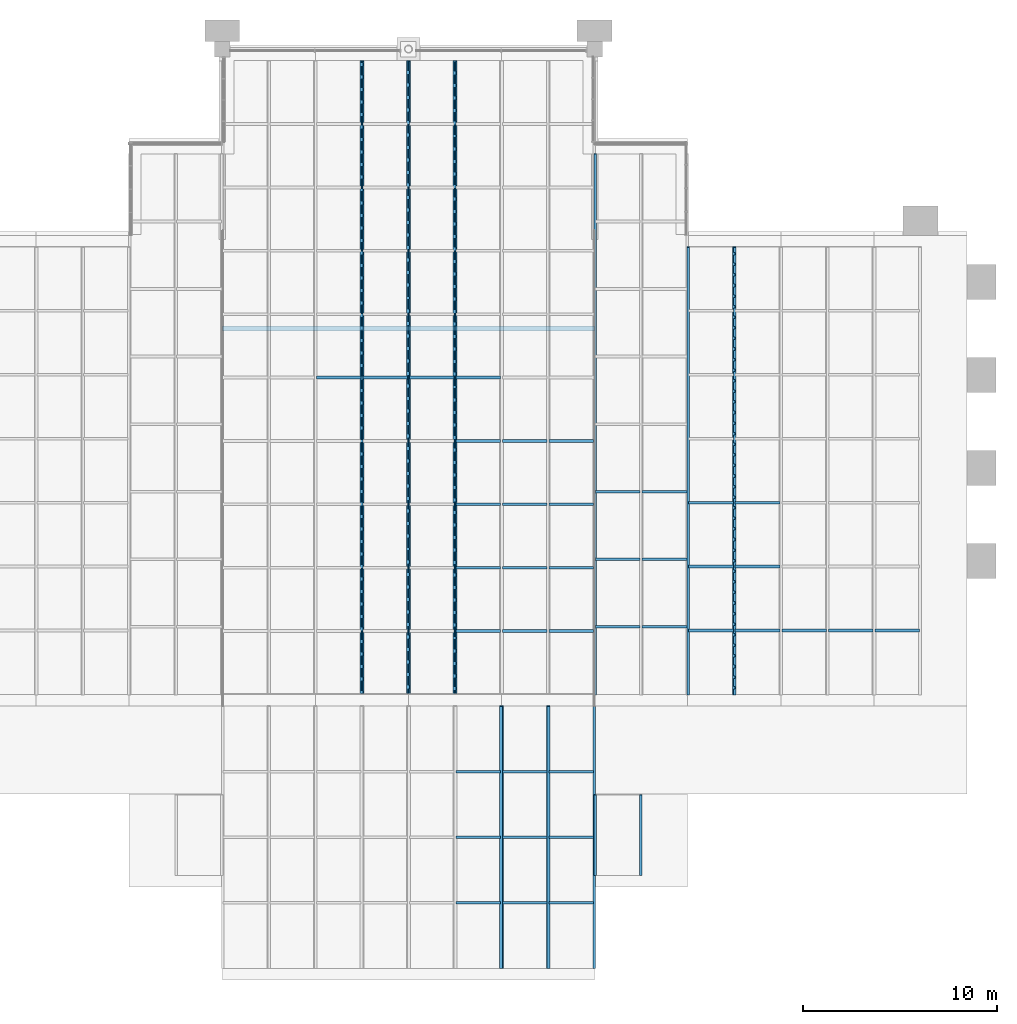
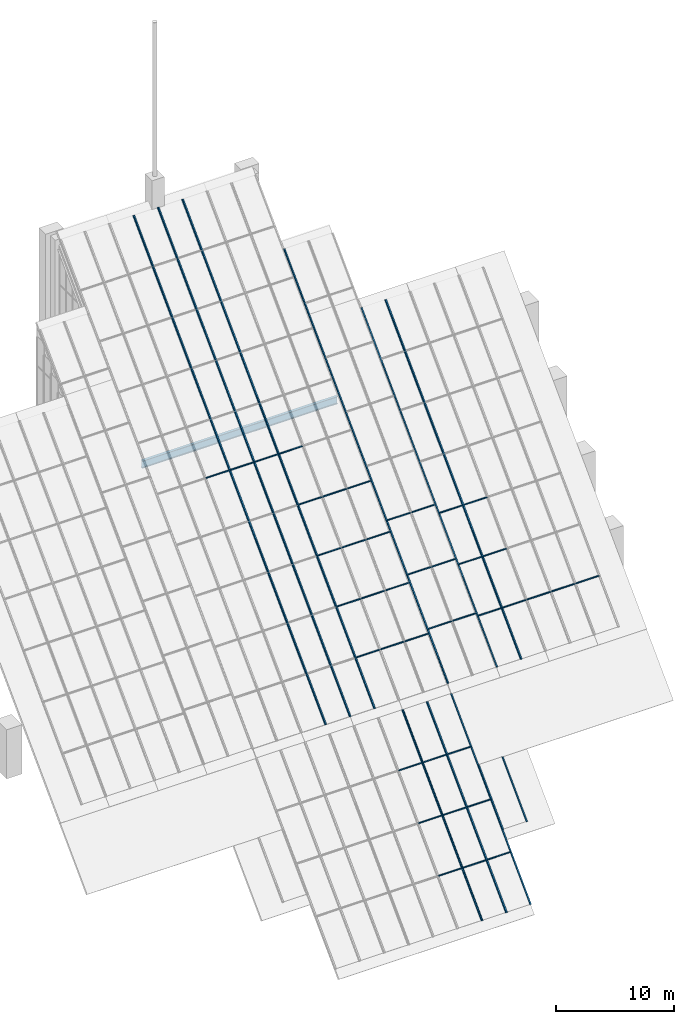
# One storey, part 3 of 25: 57 members, 1 beam, 17 elements without a shape of their own.
"""IFC4 building model written with IfcOpenShell, lengths in metres."""

from ifc_helpers import new_model, si_unit, direction, frame, origin, origin_2d, place, context, subcontext, project, spatial, rectangle, i_section, extrude, material, material_profile, profile_set, type_object, element, aggregate, save


model = new_model("IFC4")

# Units and contexts
model_context = context("Model", 3, precision=1e-05, world=origin(), true_north=direction((0.0, 1.0)))
body_context = subcontext(model_context, "Body", "Model", "MODEL_VIEW")
ifc_project = project(units=[si_unit("LENGTHUNIT", "METRE"), si_unit("AREAUNIT", "SQUARE_METRE"), si_unit("VOLUMEUNIT", "CUBIC_METRE"), si_unit("PLANEANGLEUNIT", "RADIAN"), si_unit("MASSUNIT", "GRAM", prefix="KILO")], contexts=[model_context])

# Site, building, storey
site_placement = place(None, origin())
site = spatial("IfcSite", under=ifc_project, at=site_placement, CompositionType="ELEMENT")
building_placement = place(site_placement, origin())
building = spatial("IfcBuilding", under=site, at=building_placement, Name="Baori Bourse Tower", CompositionType="ELEMENT")
storey_placement = place(building_placement, frame((0.0, 0.0, 378.300048828125)))
storey = spatial("IfcBuildingStorey", under=building, at=storey_placement, Name="Roof", CompositionType="ELEMENT", Elevation=378.300048828125)

# Curtain wall, member
ifc_material_1 = material(Name="Pale anodised aluminium", Category="aluminium")
curtain_wall_type = type_object("IfcCurtainWallType", Name="CW4 Curtain wall", PredefinedType="NOTDEFINED", material=ifc_material_1)
curtain_wall_1_placement = place(storey_placement, origin())
curtain_wall_1 = element("IfcCurtainWall", 1, at=curtain_wall_1_placement, inside=storey, type_object=curtain_wall_type, Name="Curtain wall CW4 roof glazing 13", PredefinedType="NOTDEFINED")
ifc_material_2 = material(Name="Pale anodised aluminium", Category="aluminium")
ifc_material_profile_1 = material_profile(ifc_material_2, rectangle(XDim=0.139892578125, YDim=0.050048828125, at=origin_2d()), Name="Mullion 50x140")
ifc_profile_set_1 = profile_set([ifc_material_profile_1], Name="Pale anodised aluminium")
member_type_1 = type_object("IfcMemberType", Name="CW4 Curtain wall mullion", PredefinedType="MULLION", material=ifc_profile_set_1)
member_1_placement = place(storey_placement, frame((26.375, 14.723388671875, -0.492919921875), z_axis=(0.0, 0.702701357495, 0.711484927581), x_axis=(-1.0, 0.0, 0.0)))
member_1 = element("IfcMember", 2, at=member_1_placement, type_object=member_type_1, Name="Curtain wall CW4 rail 13.2", PredefinedType="MULLION", context=body_context, shape_type="SweptSolid", body=[
    extrude(rectangle(XDim=0.139892578125, YDim=0.050048828125, at=origin_2d()), origin(), (0.0, 0.0, 1.0), 46.501220703125),
])

# Curtain wall, members
curtain_wall_2_placement = place(storey_placement, origin())
curtain_wall_2 = element("IfcCurtainWall", 3, at=curtain_wall_2_placement, inside=storey, type_object=curtain_wall_type, Name="Curtain wall CW4 roof glazing 15", PredefinedType="NOTDEFINED")
member_2_placement = place(storey_placement, frame((26.425048828125, 14.723388671875, -0.492919921875), z_axis=(0.0, 0.702701357495, 0.711484927581), x_axis=(-1.0, 0.0, 0.0)))
member_2 = element("IfcMember", 4, at=member_2_placement, type_object=member_type_1, Name="Curtain wall CW4 rail 15.1", PredefinedType="MULLION", context=body_context, shape_type="SweptSolid", body=[
    extrude(rectangle(XDim=0.139892578125, YDim=0.050048828125, at=origin_2d()), origin(), (0.0, 0.0, 1.0), 46.501220703125),
])
member_3_placement = place(storey_placement, frame((28.77490234375, 14.723388671875, -0.492919921875), z_axis=(0.0, 0.702701357495, 0.711484927581), x_axis=(-1.0, 0.0, 0.0)))
member_3 = element("IfcMember", 5, at=member_3_placement, type_object=member_type_1, Name="Curtain wall CW4 rail 15.2", PredefinedType="MULLION", context=body_context, shape_type="SweptSolid", body=[
    extrude(rectangle(XDim=0.139892578125, YDim=0.050048828125, at=origin_2d()), origin(), (0.0, 0.0, 1.0), 46.501220703125),
])

curtain_wall_3_placement = place(storey_placement, origin())
curtain_wall_3 = element("IfcCurtainWall", 6, at=curtain_wall_3_placement, inside=storey, type_object=curtain_wall_type, Name="Curtain wall CW4 roof glazing 17", PredefinedType="NOTDEFINED")
member_4_placement = place(storey_placement, frame((28.824951171875, 14.723388671875, -0.492919921875), z_axis=(0.0, 0.702701357495, 0.711484927581), x_axis=(-1.0, 0.0, 0.0)))
member_4 = element("IfcMember", 7, at=member_4_placement, type_object=member_type_1, Name="Curtain wall CW4 rail 17.1", PredefinedType="MULLION", context=body_context, shape_type="SweptSolid", body=[
    extrude(rectangle(XDim=0.139892578125, YDim=0.050048828125, at=origin_2d()), origin(), (0.0, 0.0, 1.0), 46.501220703125),
])
member_5_placement = place(storey_placement, frame((31.175048828125, 14.723388671875, -0.492919921875), z_axis=(0.0, 0.702701357495, 0.711484927581), x_axis=(-1.0, 0.0, 0.0)))
member_5 = element("IfcMember", 8, at=member_5_placement, type_object=member_type_1, Name="Curtain wall CW4 rail 17.2", PredefinedType="MULLION", context=body_context, shape_type="SweptSolid", body=[
    extrude(rectangle(XDim=0.139892578125, YDim=0.050048828125, at=origin_2d()), origin(), (0.0, 0.0, 1.0), 46.501220703125),
])

# Curtain wall, member
curtain_wall_4_placement = place(storey_placement, origin())
curtain_wall_4 = element("IfcCurtainWall", 9, at=curtain_wall_4_placement, inside=storey, type_object=curtain_wall_type, Name="Curtain wall CW4 roof glazing 19", PredefinedType="NOTDEFINED")
member_6_placement = place(storey_placement, frame((31.22509765625, 14.723388671875, -0.492919921875), z_axis=(0.0, 0.702701357495, 0.711484927581), x_axis=(-1.0, 0.0, 0.0)))
member_6 = element("IfcMember", 10, at=member_6_placement, type_object=member_type_1, Name="Curtain wall CW4 rail 19.1", PredefinedType="MULLION", context=body_context, shape_type="SweptSolid", body=[
    extrude(rectangle(XDim=0.139892578125, YDim=0.050048828125, at=origin_2d()), origin(), (0.0, 0.0, 1.0), 46.501220703125),
])

curtain_wall_5_placement = place(storey_placement, origin())
curtain_wall_5 = element("IfcCurtainWall", 11, at=curtain_wall_5_placement, inside=storey, type_object=curtain_wall_type, Name="Curtain wall CW4 roof glazing 20", PredefinedType="NOTDEFINED")
member_7_placement = place(storey_placement, frame((33.574951171875, 0.60009765625, -14.79296875), z_axis=(0.0, 0.702697770949, 0.711488469831), x_axis=(-1.0, 0.0, 0.0)))
member_7 = element("IfcMember", 12, at=member_7_placement, type_object=member_type_1, Name="Curtain wall CW4 rail 20.2", PredefinedType="MULLION", context=body_context, shape_type="SweptSolid", body=[
    extrude(rectangle(XDim=0.139892578125, YDim=0.050048828125, at=origin_2d()), origin(), (0.0, 0.0, 1.0), 19.246337890625),
])

# Curtain wall, members
curtain_wall_6_placement = place(storey_placement, origin())
curtain_wall_6 = element("IfcCurtainWall", 13, at=curtain_wall_6_placement, inside=storey, type_object=curtain_wall_type, Name="Curtain wall CW4 roof glazing 22", PredefinedType="NOTDEFINED")
member_8_placement = place(storey_placement, frame((33.625, 0.60009765625, -14.79296875), z_axis=(0.0, 0.702697770949, 0.711488469831), x_axis=(-1.0, 0.0, 0.0)))
member_8 = element("IfcMember", 14, at=member_8_placement, type_object=member_type_1, Name="Curtain wall CW4 rail 22.1", PredefinedType="MULLION", context=body_context, shape_type="SweptSolid", body=[
    extrude(rectangle(XDim=0.139892578125, YDim=0.050048828125, at=origin_2d()), origin(), (0.0, 0.0, 1.0), 19.246337890625),
])
member_9_placement = place(storey_placement, frame((35.97509765625, 0.60009765625, -14.79296875), z_axis=(0.0, 0.702697770949, 0.711488469831), x_axis=(-1.0, 0.0, 0.0)))
member_9 = element("IfcMember", 15, at=member_9_placement, type_object=member_type_1, Name="Curtain wall CW4 rail 22.2", PredefinedType="MULLION", context=body_context, shape_type="SweptSolid", body=[
    extrude(rectangle(XDim=0.139892578125, YDim=0.050048828125, at=origin_2d()), origin(), (0.0, 0.0, 1.0), 19.246337890625),
])

curtain_wall_7_placement = place(storey_placement, origin())
curtain_wall_7 = element("IfcCurtainWall", 16, at=curtain_wall_7_placement, inside=storey, type_object=curtain_wall_type, Name="Curtain wall CW4 roof glazing 24", PredefinedType="NOTDEFINED")
member_10_placement = place(storey_placement, frame((36.02490234375, 0.60009765625, -14.79296875), z_axis=(0.0, 0.702697770949, 0.711488469831), x_axis=(-1.0, 0.0, 0.0)))
member_10 = element("IfcMember", 17, at=member_10_placement, type_object=member_type_1, Name="Curtain wall CW4 rail 24.1", PredefinedType="MULLION", context=body_context, shape_type="SweptSolid", body=[
    extrude(rectangle(XDim=0.139892578125, YDim=0.050048828125, at=origin_2d()), origin(), (0.0, 0.0, 1.0), 19.246337890625),
])
member_11_placement = place(storey_placement, frame((38.375, 0.60009765625, -14.79296875), z_axis=(0.0, 0.702697770949, 0.711488469831), x_axis=(-1.0, 0.0, 0.0)))
member_11 = element("IfcMember", 18, at=member_11_placement, type_object=member_type_1, Name="Curtain wall CW4 rail 24.2", PredefinedType="MULLION", context=body_context, shape_type="SweptSolid", body=[
    extrude(rectangle(XDim=0.139892578125, YDim=0.050048828125, at=origin_2d()), origin(), (0.0, 0.0, 1.0), 19.246337890625),
])

# Curtain wall, member
curtain_wall_8_placement = place(storey_placement, origin())
curtain_wall_8 = element("IfcCurtainWall", 19, at=curtain_wall_8_placement, inside=storey, type_object=curtain_wall_type, Name="Curtain wall CW4 roof glazing 25", PredefinedType="NOTDEFINED")
member_12_placement = place(storey_placement, frame((38.425048828125, 14.723388671875, -0.407470703125), z_axis=(0.0, 0.702705220512, 0.711481112234), x_axis=(-1.0, 0.0, 0.0)))
member_12 = element("IfcMember", 20, at=member_12_placement, type_object=member_type_1, Name="Curtain wall CW4 rail 25.1", PredefinedType="MULLION", context=body_context, shape_type="SweptSolid", body=[
    extrude(rectangle(XDim=0.139892578125, YDim=0.050048828125, at=origin_2d()), origin(), (0.0, 0.0, 1.0), 39.670654296875),
])

# Curtain wall, members
curtain_wall_9_placement = place(storey_placement, origin())
curtain_wall_9 = element("IfcCurtainWall", 21, at=curtain_wall_9_placement, inside=storey, type_object=curtain_wall_type, Name="Curtain wall CW4 roof glazing 26", PredefinedType="NOTDEFINED")
member_13_placement = place(storey_placement, frame((38.425048828125, 5.39990234375, -9.932861328125), z_axis=(0.0, 0.702711334446, 0.711475073661), x_axis=(-1.0, 0.0, 0.0)))
member_13 = element("IfcMember", 22, at=member_13_placement, type_object=member_type_1, Name="Curtain wall CW4 rail 26.1", PredefinedType="MULLION", context=body_context, shape_type="SweptSolid", body=[
    extrude(rectangle(XDim=0.139892578125, YDim=0.050048828125, at=origin_2d()), origin(), (0.0, 0.0, 1.0), 5.906005859375),
])
member_14_placement = place(storey_placement, frame((40.77490234375, 5.39990234375, -9.932861328125), z_axis=(0.0, 0.702711334446, 0.711475073661), x_axis=(-1.0, 0.0, 0.0)))
member_14 = element("IfcMember", 23, at=member_14_placement, type_object=member_type_1, Name="Curtain wall CW4 rail 26.2", PredefinedType="MULLION", context=body_context, shape_type="SweptSolid", body=[
    extrude(rectangle(XDim=0.139892578125, YDim=0.050048828125, at=origin_2d()), origin(), (0.0, 0.0, 1.0), 5.906005859375),
])
aggregate(curtain_wall_9, [member_13, member_14])

curtain_wall_10_placement = place(storey_placement, origin())
curtain_wall_10 = element("IfcCurtainWall", 24, at=curtain_wall_10_placement, inside=storey, type_object=curtain_wall_type, Name="Curtain wall CW4 roof glazing 28", PredefinedType="NOTDEFINED")
member_15_placement = place(storey_placement, frame((43.22509765625, 14.723388671875, -0.407470703125), z_axis=(0.0, 0.702703210407, 0.711483097539), x_axis=(-1.0, 0.0, 0.0)))
member_15 = element("IfcMember", 25, at=member_15_placement, type_object=member_type_1, Name="Curtain wall CW4 rail 28.1", PredefinedType="MULLION", context=body_context, shape_type="SweptSolid", body=[
    extrude(rectangle(XDim=0.139892578125, YDim=0.050048828125, at=origin_2d()), origin(), (0.0, 0.0, 1.0), 32.83984375),
])
member_16_placement = place(storey_placement, frame((45.574951171875, 14.723388671875, -0.407470703125), z_axis=(0.0, 0.702703210407, 0.711483097539), x_axis=(-1.0, 0.0, 0.0)))
member_16 = element("IfcMember", 26, at=member_16_placement, type_object=member_type_1, Name="Curtain wall CW4 rail 28.2", PredefinedType="MULLION", context=body_context, shape_type="SweptSolid", body=[
    extrude(rectangle(XDim=0.139892578125, YDim=0.050048828125, at=origin_2d()), origin(), (0.0, 0.0, 1.0), 32.83984375),
])

# Curtain wall, member
curtain_wall_11_placement = place(storey_placement, origin())
curtain_wall_11 = element("IfcCurtainWall", 27, at=curtain_wall_11_placement, inside=storey, type_object=curtain_wall_type, Name="Curtain wall CW4 roof glazing 29", PredefinedType="NOTDEFINED")
member_17_placement = place(storey_placement, frame((45.625, 14.723388671875, -0.407470703125), z_axis=(0.0, 0.702703210407, 0.711483097539), x_axis=(-1.0, 0.0, 0.0)))
member_17 = element("IfcMember", 28, at=member_17_placement, type_object=member_type_1, Name="Curtain wall CW4 rail 29.1", PredefinedType="MULLION", context=body_context, shape_type="SweptSolid", body=[
    extrude(rectangle(XDim=0.139892578125, YDim=0.050048828125, at=origin_2d()), origin(), (0.0, 0.0, 1.0), 32.83984375),
])

# Member
ifc_material_3 = material(Name="Pale anodised aluminium", Category="aluminium")
ifc_material_profile_2 = material_profile(ifc_material_3, rectangle(XDim=0.139892578125, YDim=0.054931640625, at=origin_2d()), Name="Transom 55x140")
ifc_profile_set_2 = profile_set([ifc_material_profile_2], Name="Pale anodised aluminium")
member_type_2 = type_object("IfcMemberType", Name="CW4 Curtain wall transom", PredefinedType="USERDEFINED", material=ifc_profile_set_2)
member_18_placement = place(storey_placement, frame((24.050048828125, 31.061767578125, 16.049560546875), z_axis=(1.0, 0.0, 0.0), x_axis=(0.0, 1.0, 0.0)))
member_18 = element("IfcMember", 29, at=member_18_placement, type_object=member_type_2, Name="Curtain wall CW4 cross bar 13.5", ObjectType="TRANSOM", PredefinedType="USERDEFINED", context=body_context, shape_type="SweptSolid", body=[
    extrude(rectangle(XDim=0.139892578125, YDim=0.054931640625, at=origin_2d()), origin(), (0.0, 0.0, 1.0), 2.300048828125),
])

aggregate(curtain_wall_1, [member_1, member_18])

member_19_placement = place(storey_placement, frame((26.449951171875, 31.061767578125, 16.049560546875), z_axis=(1.0, 0.0, 0.0), x_axis=(0.0, 1.0, 0.0)))
member_19 = element("IfcMember", 30, at=member_19_placement, type_object=member_type_2, Name="Curtain wall CW4 cross bar 15.5", ObjectType="TRANSOM", PredefinedType="USERDEFINED", context=body_context, shape_type="SweptSolid", body=[
    extrude(rectangle(XDim=0.139892578125, YDim=0.054931640625, at=origin_2d()), origin(), (0.0, 0.0, 1.0), 2.300048828125),
])

aggregate(curtain_wall_2, [member_2, member_3, member_19])

member_20_placement = place(storey_placement, frame((28.85009765625, 31.061767578125, 16.049560546875), z_axis=(1.0, 0.0, 0.0), x_axis=(0.0, 1.0, 0.0)))
member_20 = element("IfcMember", 31, at=member_20_placement, type_object=member_type_2, Name="Curtain wall CW4 cross bar 17.5", ObjectType="TRANSOM", PredefinedType="USERDEFINED", context=body_context, shape_type="SweptSolid", body=[
    extrude(rectangle(XDim=0.139892578125, YDim=0.054931640625, at=origin_2d()), origin(), (0.0, 0.0, 1.0), 2.2998046875),
])

aggregate(curtain_wall_3, [member_4, member_5, member_20])

member_21_placement = place(storey_placement, frame((31.25, 17.9912109375, 2.815673828125), z_axis=(1.0, 0.0, 0.0), x_axis=(0.0, 1.0, 0.0)))
member_21 = element("IfcMember", 32, at=member_21_placement, type_object=member_type_2, Name="Curtain wall CW4 cross bar 19.1", ObjectType="TRANSOM", PredefinedType="USERDEFINED", context=body_context, shape_type="SweptSolid", body=[
    extrude(rectangle(XDim=0.139892578125, YDim=0.054931640625, at=origin_2d()), origin(), (0.0, 0.0, 1.0), 2.300048828125),
])

member_22_placement = place(storey_placement, frame((31.25, 21.2587890625, 6.1240234375), z_axis=(1.0, 0.0, 0.0), x_axis=(0.0, 1.0, 0.0)))
member_22 = element("IfcMember", 33, at=member_22_placement, type_object=member_type_2, Name="Curtain wall CW4 cross bar 19.2", ObjectType="TRANSOM", PredefinedType="USERDEFINED", context=body_context, shape_type="SweptSolid", body=[
    extrude(rectangle(XDim=0.139892578125, YDim=0.054931640625, at=origin_2d()), origin(), (0.0, 0.0, 1.0), 2.300048828125),
])

member_23_placement = place(storey_placement, frame((31.25, 24.5263671875, 9.4326171875), z_axis=(1.0, 0.0, 0.0), x_axis=(0.0, 1.0, 0.0)))
member_23 = element("IfcMember", 34, at=member_23_placement, type_object=member_type_2, Name="Curtain wall CW4 cross bar 19.3", ObjectType="TRANSOM", PredefinedType="USERDEFINED", context=body_context, shape_type="SweptSolid", body=[
    extrude(rectangle(XDim=0.139892578125, YDim=0.054931640625, at=origin_2d()), origin(), (0.0, 0.0, 1.0), 2.300048828125),
])

member_24_placement = place(storey_placement, frame((31.25, 27.794189453125, 12.740966796875), z_axis=(1.0, 0.0, 0.0), x_axis=(0.0, 1.0, 0.0)))
member_24 = element("IfcMember", 35, at=member_24_placement, type_object=member_type_2, Name="Curtain wall CW4 cross bar 19.4", ObjectType="TRANSOM", PredefinedType="USERDEFINED", context=body_context, shape_type="SweptSolid", body=[
    extrude(rectangle(XDim=0.139892578125, YDim=0.054931640625, at=origin_2d()), origin(), (0.0, 0.0, 1.0), 2.300048828125),
])

member_25_placement = place(storey_placement, frame((31.25, 31.061767578125, 16.049560546875), z_axis=(1.0, 0.0, 0.0), x_axis=(0.0, 1.0, 0.0)))
member_25 = element("IfcMember", 36, at=member_25_placement, type_object=member_type_2, Name="Curtain wall CW4 cross bar 19.5", ObjectType="TRANSOM", PredefinedType="USERDEFINED", context=body_context, shape_type="SweptSolid", body=[
    extrude(rectangle(XDim=0.139892578125, YDim=0.054931640625, at=origin_2d()), origin(), (0.0, 0.0, 1.0), 2.300048828125),
])

aggregate(curtain_wall_4, [member_6, member_21, member_22, member_23, member_24, member_25])

member_26_placement = place(storey_placement, frame((31.25, 3.981201171875, -11.36962890625), z_axis=(1.0, 0.0, 0.0), x_axis=(0.0, 1.0, 0.0)))
member_26 = element("IfcMember", 37, at=member_26_placement, type_object=member_type_2, Name="Curtain wall CW4 cross bar 20.1", ObjectType="TRANSOM", PredefinedType="USERDEFINED", context=body_context, shape_type="SweptSolid", body=[
    extrude(rectangle(XDim=0.139892578125, YDim=0.054931640625, at=origin_2d()), origin(), (0.0, 0.0, 1.0), 2.300048828125),
])

member_27_placement = place(storey_placement, frame((31.25, 7.3623046875, -7.9462890625), z_axis=(1.0, 0.0, 0.0), x_axis=(0.0, 1.0, 0.0)))
member_27 = element("IfcMember", 38, at=member_27_placement, type_object=member_type_2, Name="Curtain wall CW4 cross bar 20.2", ObjectType="TRANSOM", PredefinedType="USERDEFINED", context=body_context, shape_type="SweptSolid", body=[
    extrude(rectangle(XDim=0.139892578125, YDim=0.054931640625, at=origin_2d()), origin(), (0.0, 0.0, 1.0), 2.300048828125),
])

member_28_placement = place(storey_placement, frame((31.25, 10.743408203125, -4.522705078125), z_axis=(1.0, 0.0, 0.0), x_axis=(0.0, 1.0, 0.0)))
member_28 = element("IfcMember", 39, at=member_28_placement, type_object=member_type_2, Name="Curtain wall CW4 cross bar 20.3", ObjectType="TRANSOM", PredefinedType="USERDEFINED", context=body_context, shape_type="SweptSolid", body=[
    extrude(rectangle(XDim=0.139892578125, YDim=0.054931640625, at=origin_2d()), origin(), (0.0, 0.0, 1.0), 2.300048828125),
])

aggregate(curtain_wall_5, [member_7, member_26, member_27, member_28])

# Curtain wall, members
curtain_wall_12_placement = place(storey_placement, origin())
curtain_wall_12 = element("IfcCurtainWall", 40, at=curtain_wall_12_placement, inside=storey, type_object=curtain_wall_type, Name="Curtain wall CW4 roof glazing 21", PredefinedType="NOTDEFINED")
member_29_placement = place(storey_placement, frame((33.64990234375, 17.9912109375, 2.815673828125), z_axis=(1.0, 0.0, 0.0), x_axis=(0.0, 1.0, 0.0)))
member_29 = element("IfcMember", 41, at=member_29_placement, type_object=member_type_2, Name="Curtain wall CW4 cross bar 21.1", ObjectType="TRANSOM", PredefinedType="USERDEFINED", context=body_context, shape_type="SweptSolid", body=[
    extrude(rectangle(XDim=0.139892578125, YDim=0.054931640625, at=origin_2d()), origin(), (0.0, 0.0, 1.0), 2.300048828125),
])
member_30_placement = place(storey_placement, frame((33.64990234375, 21.2587890625, 6.1240234375), z_axis=(1.0, 0.0, 0.0), x_axis=(0.0, 1.0, 0.0)))
member_30 = element("IfcMember", 42, at=member_30_placement, type_object=member_type_2, Name="Curtain wall CW4 cross bar 21.2", ObjectType="TRANSOM", PredefinedType="USERDEFINED", context=body_context, shape_type="SweptSolid", body=[
    extrude(rectangle(XDim=0.139892578125, YDim=0.054931640625, at=origin_2d()), origin(), (0.0, 0.0, 1.0), 2.300048828125),
])
member_31_placement = place(storey_placement, frame((33.64990234375, 24.5263671875, 9.4326171875), z_axis=(1.0, 0.0, 0.0), x_axis=(0.0, 1.0, 0.0)))
member_31 = element("IfcMember", 43, at=member_31_placement, type_object=member_type_2, Name="Curtain wall CW4 cross bar 21.3", ObjectType="TRANSOM", PredefinedType="USERDEFINED", context=body_context, shape_type="SweptSolid", body=[
    extrude(rectangle(XDim=0.139892578125, YDim=0.054931640625, at=origin_2d()), origin(), (0.0, 0.0, 1.0), 2.300048828125),
])
member_32_placement = place(storey_placement, frame((33.64990234375, 27.794189453125, 12.740966796875), z_axis=(1.0, 0.0, 0.0), x_axis=(0.0, 1.0, 0.0)))
member_32 = element("IfcMember", 44, at=member_32_placement, type_object=member_type_2, Name="Curtain wall CW4 cross bar 21.4", ObjectType="TRANSOM", PredefinedType="USERDEFINED", context=body_context, shape_type="SweptSolid", body=[
    extrude(rectangle(XDim=0.139892578125, YDim=0.054931640625, at=origin_2d()), origin(), (0.0, 0.0, 1.0), 2.300048828125),
])
aggregate(curtain_wall_12, [member_29, member_30, member_31, member_32])

# Member
member_33_placement = place(storey_placement, frame((33.64990234375, 3.981201171875, -11.36962890625), z_axis=(1.0, 0.0, 0.0), x_axis=(0.0, 1.0, 0.0)))
member_33 = element("IfcMember", 45, at=member_33_placement, type_object=member_type_2, Name="Curtain wall CW4 cross bar 22.1", ObjectType="TRANSOM", PredefinedType="USERDEFINED", context=body_context, shape_type="SweptSolid", body=[
    extrude(rectangle(XDim=0.139892578125, YDim=0.054931640625, at=origin_2d()), origin(), (0.0, 0.0, 1.0), 2.300048828125),
])

member_34_placement = place(storey_placement, frame((33.64990234375, 7.3623046875, -7.9462890625), z_axis=(1.0, 0.0, 0.0), x_axis=(0.0, 1.0, 0.0)))
member_34 = element("IfcMember", 46, at=member_34_placement, type_object=member_type_2, Name="Curtain wall CW4 cross bar 22.2", ObjectType="TRANSOM", PredefinedType="USERDEFINED", context=body_context, shape_type="SweptSolid", body=[
    extrude(rectangle(XDim=0.139892578125, YDim=0.054931640625, at=origin_2d()), origin(), (0.0, 0.0, 1.0), 2.300048828125),
])

member_35_placement = place(storey_placement, frame((33.64990234375, 10.743408203125, -4.522705078125), z_axis=(1.0, 0.0, 0.0), x_axis=(0.0, 1.0, 0.0)))
member_35 = element("IfcMember", 47, at=member_35_placement, type_object=member_type_2, Name="Curtain wall CW4 cross bar 22.3", ObjectType="TRANSOM", PredefinedType="USERDEFINED", context=body_context, shape_type="SweptSolid", body=[
    extrude(rectangle(XDim=0.139892578125, YDim=0.054931640625, at=origin_2d()), origin(), (0.0, 0.0, 1.0), 2.300048828125),
])

aggregate(curtain_wall_6, [member_8, member_9, member_33, member_34, member_35])

# Curtain wall, members
curtain_wall_13_placement = place(storey_placement, origin())
curtain_wall_13 = element("IfcCurtainWall", 48, at=curtain_wall_13_placement, inside=storey, type_object=curtain_wall_type, Name="Curtain wall CW4 roof glazing 23", PredefinedType="NOTDEFINED")
member_36_placement = place(storey_placement, frame((36.050048828125, 17.9912109375, 2.815673828125), z_axis=(1.0, 0.0, 0.0), x_axis=(0.0, 1.0, 0.0)))
member_36 = element("IfcMember", 49, at=member_36_placement, type_object=member_type_2, Name="Curtain wall CW4 cross bar 23.1", ObjectType="TRANSOM", PredefinedType="USERDEFINED", context=body_context, shape_type="SweptSolid", body=[
    extrude(rectangle(XDim=0.139892578125, YDim=0.054931640625, at=origin_2d()), origin(), (0.0, 0.0, 1.0), 2.300048828125),
])
member_37_placement = place(storey_placement, frame((36.050048828125, 21.2587890625, 6.1240234375), z_axis=(1.0, 0.0, 0.0), x_axis=(0.0, 1.0, 0.0)))
member_37 = element("IfcMember", 50, at=member_37_placement, type_object=member_type_2, Name="Curtain wall CW4 cross bar 23.2", ObjectType="TRANSOM", PredefinedType="USERDEFINED", context=body_context, shape_type="SweptSolid", body=[
    extrude(rectangle(XDim=0.139892578125, YDim=0.054931640625, at=origin_2d()), origin(), (0.0, 0.0, 1.0), 2.300048828125),
])
member_38_placement = place(storey_placement, frame((36.050048828125, 24.5263671875, 9.4326171875), z_axis=(1.0, 0.0, 0.0), x_axis=(0.0, 1.0, 0.0)))
member_38 = element("IfcMember", 51, at=member_38_placement, type_object=member_type_2, Name="Curtain wall CW4 cross bar 23.3", ObjectType="TRANSOM", PredefinedType="USERDEFINED", context=body_context, shape_type="SweptSolid", body=[
    extrude(rectangle(XDim=0.139892578125, YDim=0.054931640625, at=origin_2d()), origin(), (0.0, 0.0, 1.0), 2.300048828125),
])
member_39_placement = place(storey_placement, frame((36.050048828125, 27.794189453125, 12.740966796875), z_axis=(1.0, 0.0, 0.0), x_axis=(0.0, 1.0, 0.0)))
member_39 = element("IfcMember", 52, at=member_39_placement, type_object=member_type_2, Name="Curtain wall CW4 cross bar 23.4", ObjectType="TRANSOM", PredefinedType="USERDEFINED", context=body_context, shape_type="SweptSolid", body=[
    extrude(rectangle(XDim=0.139892578125, YDim=0.054931640625, at=origin_2d()), origin(), (0.0, 0.0, 1.0), 2.300048828125),
])
aggregate(curtain_wall_13, [member_36, member_37, member_38, member_39])

# Member
member_40_placement = place(storey_placement, frame((36.050048828125, 3.981201171875, -11.36962890625), z_axis=(1.0, 0.0, 0.0), x_axis=(0.0, 1.0, 0.0)))
member_40 = element("IfcMember", 53, at=member_40_placement, type_object=member_type_2, Name="Curtain wall CW4 cross bar 24.1", ObjectType="TRANSOM", PredefinedType="USERDEFINED", context=body_context, shape_type="SweptSolid", body=[
    extrude(rectangle(XDim=0.139892578125, YDim=0.054931640625, at=origin_2d()), origin(), (0.0, 0.0, 1.0), 2.300048828125),
])

member_41_placement = place(storey_placement, frame((36.050048828125, 7.3623046875, -7.9462890625), z_axis=(1.0, 0.0, 0.0), x_axis=(0.0, 1.0, 0.0)))
member_41 = element("IfcMember", 54, at=member_41_placement, type_object=member_type_2, Name="Curtain wall CW4 cross bar 24.2", ObjectType="TRANSOM", PredefinedType="USERDEFINED", context=body_context, shape_type="SweptSolid", body=[
    extrude(rectangle(XDim=0.139892578125, YDim=0.054931640625, at=origin_2d()), origin(), (0.0, 0.0, 1.0), 2.300048828125),
])

member_42_placement = place(storey_placement, frame((36.050048828125, 10.743408203125, -4.522705078125), z_axis=(1.0, 0.0, 0.0), x_axis=(0.0, 1.0, 0.0)))
member_42 = element("IfcMember", 55, at=member_42_placement, type_object=member_type_2, Name="Curtain wall CW4 cross bar 24.3", ObjectType="TRANSOM", PredefinedType="USERDEFINED", context=body_context, shape_type="SweptSolid", body=[
    extrude(rectangle(XDim=0.139892578125, YDim=0.054931640625, at=origin_2d()), origin(), (0.0, 0.0, 1.0), 2.300048828125),
])

aggregate(curtain_wall_7, [member_10, member_11, member_40, member_41, member_42])

member_43_placement = place(storey_placement, frame((38.449951171875, 18.2080078125, 3.12060546875), z_axis=(1.0, 0.0, 0.0), x_axis=(0.0, 1.0, 0.0)))
member_43 = element("IfcMember", 56, at=member_43_placement, type_object=member_type_2, Name="Curtain wall CW4 cross bar 25.1", ObjectType="TRANSOM", PredefinedType="USERDEFINED", context=body_context, shape_type="SweptSolid", body=[
    extrude(rectangle(XDim=0.139892578125, YDim=0.054931640625, at=origin_2d()), origin(), (0.0, 0.0, 1.0), 2.300048828125),
])

member_44_placement = place(storey_placement, frame((38.449951171875, 21.692626953125, 6.648681640625), z_axis=(1.0, 0.0, 0.0), x_axis=(0.0, 1.0, 0.0)))
member_44 = element("IfcMember", 57, at=member_44_placement, type_object=member_type_2, Name="Curtain wall CW4 cross bar 25.2", ObjectType="TRANSOM", PredefinedType="USERDEFINED", context=body_context, shape_type="SweptSolid", body=[
    extrude(rectangle(XDim=0.139892578125, YDim=0.054931640625, at=origin_2d()), origin(), (0.0, 0.0, 1.0), 2.300048828125),
])

member_45_placement = place(storey_placement, frame((38.449951171875, 25.17724609375, 10.1767578125), z_axis=(1.0, 0.0, 0.0), x_axis=(0.0, 1.0, 0.0)))
member_45 = element("IfcMember", 58, at=member_45_placement, type_object=member_type_2, Name="Curtain wall CW4 cross bar 25.3", ObjectType="TRANSOM", PredefinedType="USERDEFINED", context=body_context, shape_type="SweptSolid", body=[
    extrude(rectangle(XDim=0.139892578125, YDim=0.054931640625, at=origin_2d()), origin(), (0.0, 0.0, 1.0), 2.300048828125),
])

aggregate(curtain_wall_8, [member_12, member_43, member_44, member_45])

# Curtain wall, members
curtain_wall_14_placement = place(storey_placement, origin())
curtain_wall_14 = element("IfcCurtainWall", 59, at=curtain_wall_14_placement, inside=storey, type_object=curtain_wall_type, Name="Curtain wall CW4 roof glazing 27", PredefinedType="NOTDEFINED")
member_46_placement = place(storey_placement, frame((40.85009765625, 18.2080078125, 3.12060546875), z_axis=(1.0, 0.0, 0.0), x_axis=(0.0, 1.0, 0.0)))
member_46 = element("IfcMember", 60, at=member_46_placement, type_object=member_type_2, Name="Curtain wall CW4 cross bar 27.1", ObjectType="TRANSOM", PredefinedType="USERDEFINED", context=body_context, shape_type="SweptSolid", body=[
    extrude(rectangle(XDim=0.139892578125, YDim=0.054931640625, at=origin_2d()), origin(), (0.0, 0.0, 1.0), 2.2998046875),
])
member_47_placement = place(storey_placement, frame((40.85009765625, 21.692626953125, 6.648681640625), z_axis=(1.0, 0.0, 0.0), x_axis=(0.0, 1.0, 0.0)))
member_47 = element("IfcMember", 61, at=member_47_placement, type_object=member_type_2, Name="Curtain wall CW4 cross bar 27.2", ObjectType="TRANSOM", PredefinedType="USERDEFINED", context=body_context, shape_type="SweptSolid", body=[
    extrude(rectangle(XDim=0.139892578125, YDim=0.054931640625, at=origin_2d()), origin(), (0.0, 0.0, 1.0), 2.2998046875),
])
member_48_placement = place(storey_placement, frame((40.85009765625, 25.17724609375, 10.1767578125), z_axis=(1.0, 0.0, 0.0), x_axis=(0.0, 1.0, 0.0)))
member_48 = element("IfcMember", 62, at=member_48_placement, type_object=member_type_2, Name="Curtain wall CW4 cross bar 27.3", ObjectType="TRANSOM", PredefinedType="USERDEFINED", context=body_context, shape_type="SweptSolid", body=[
    extrude(rectangle(XDim=0.139892578125, YDim=0.054931640625, at=origin_2d()), origin(), (0.0, 0.0, 1.0), 2.2998046875),
])
aggregate(curtain_wall_14, [member_46, member_47, member_48])

# Member
member_49_placement = place(storey_placement, frame((43.25, 18.02001953125, 2.930419921875), z_axis=(1.0, 0.0, 0.0), x_axis=(0.0, 1.0, 0.0)))
member_49 = element("IfcMember", 63, at=member_49_placement, type_object=member_type_2, Name="Curtain wall CW4 cross bar 28.1", ObjectType="TRANSOM", PredefinedType="USERDEFINED", context=body_context, shape_type="SweptSolid", body=[
    extrude(rectangle(XDim=0.139892578125, YDim=0.054931640625, at=origin_2d()), origin(), (0.0, 0.0, 1.0), 2.300048828125),
])

member_50_placement = place(storey_placement, frame((43.25, 21.316650390625, 6.26806640625), z_axis=(1.0, 0.0, 0.0), x_axis=(0.0, 1.0, 0.0)))
member_50 = element("IfcMember", 64, at=member_50_placement, type_object=member_type_2, Name="Curtain wall CW4 cross bar 28.2", ObjectType="TRANSOM", PredefinedType="USERDEFINED", context=body_context, shape_type="SweptSolid", body=[
    extrude(rectangle(XDim=0.139892578125, YDim=0.054931640625, at=origin_2d()), origin(), (0.0, 0.0, 1.0), 2.300048828125),
])

member_51_placement = place(storey_placement, frame((43.25, 24.613525390625, 9.60595703125), z_axis=(1.0, 0.0, 0.0), x_axis=(0.0, 1.0, 0.0)))
member_51 = element("IfcMember", 65, at=member_51_placement, type_object=member_type_2, Name="Curtain wall CW4 cross bar 28.3", ObjectType="TRANSOM", PredefinedType="USERDEFINED", context=body_context, shape_type="SweptSolid", body=[
    extrude(rectangle(XDim=0.139892578125, YDim=0.054931640625, at=origin_2d()), origin(), (0.0, 0.0, 1.0), 2.300048828125),
])

aggregate(curtain_wall_10, [member_15, member_16, member_49, member_50, member_51])

member_52_placement = place(storey_placement, frame((45.64990234375, 18.02001953125, 2.930419921875), z_axis=(1.0, 0.0, 0.0), x_axis=(0.0, 1.0, 0.0)))
member_52 = element("IfcMember", 66, at=member_52_placement, type_object=member_type_2, Name="Curtain wall CW4 cross bar 29.1", ObjectType="TRANSOM", PredefinedType="USERDEFINED", context=body_context, shape_type="SweptSolid", body=[
    extrude(rectangle(XDim=0.139892578125, YDim=0.054931640625, at=origin_2d()), origin(), (0.0, 0.0, 1.0), 2.300048828125),
])

member_53_placement = place(storey_placement, frame((45.64990234375, 21.316650390625, 6.26806640625), z_axis=(1.0, 0.0, 0.0), x_axis=(0.0, 1.0, 0.0)))
member_53 = element("IfcMember", 67, at=member_53_placement, type_object=member_type_2, Name="Curtain wall CW4 cross bar 29.2", ObjectType="TRANSOM", PredefinedType="USERDEFINED", context=body_context, shape_type="SweptSolid", body=[
    extrude(rectangle(XDim=0.139892578125, YDim=0.054931640625, at=origin_2d()), origin(), (0.0, 0.0, 1.0), 2.300048828125),
])

member_54_placement = place(storey_placement, frame((45.64990234375, 24.613525390625, 9.60595703125), z_axis=(1.0, 0.0, 0.0), x_axis=(0.0, 1.0, 0.0)))
member_54 = element("IfcMember", 68, at=member_54_placement, type_object=member_type_2, Name="Curtain wall CW4 cross bar 29.3", ObjectType="TRANSOM", PredefinedType="USERDEFINED", context=body_context, shape_type="SweptSolid", body=[
    extrude(rectangle(XDim=0.139892578125, YDim=0.054931640625, at=origin_2d()), origin(), (0.0, 0.0, 1.0), 2.300048828125),
])

aggregate(curtain_wall_11, [member_17, member_52, member_53, member_54])

# Curtain wall, member
curtain_wall_15_placement = place(storey_placement, origin())
curtain_wall_15 = element("IfcCurtainWall", 69, at=curtain_wall_15_placement, inside=storey, type_object=curtain_wall_type, Name="Curtain wall CW4 roof glazing 30", PredefinedType="NOTDEFINED")
member_55_placement = place(storey_placement, frame((48.050048828125, 18.02001953125, 2.930419921875), z_axis=(1.0, 0.0, 0.0), x_axis=(0.0, 1.0, 0.0)))
member_55 = element("IfcMember", 70, at=member_55_placement, type_object=member_type_2, Name="Curtain wall CW4 cross bar 30.1", ObjectType="TRANSOM", PredefinedType="USERDEFINED", context=body_context, shape_type="SweptSolid", body=[
    extrude(rectangle(XDim=0.139892578125, YDim=0.054931640625, at=origin_2d()), origin(), (0.0, 0.0, 1.0), 2.300048828125),
])
aggregate(curtain_wall_15, [member_55])

curtain_wall_16_placement = place(storey_placement, origin())
curtain_wall_16 = element("IfcCurtainWall", 71, at=curtain_wall_16_placement, inside=storey, type_object=curtain_wall_type, Name="Curtain wall CW4 roof glazing 31", PredefinedType="NOTDEFINED")
member_56_placement = place(storey_placement, frame((50.449951171875, 18.02001953125, 2.930419921875), z_axis=(1.0, 0.0, 0.0), x_axis=(0.0, 1.0, 0.0)))
member_56 = element("IfcMember", 72, at=member_56_placement, type_object=member_type_2, Name="Curtain wall CW4 cross bar 31.1", ObjectType="TRANSOM", PredefinedType="USERDEFINED", context=body_context, shape_type="SweptSolid", body=[
    extrude(rectangle(XDim=0.139892578125, YDim=0.054931640625, at=origin_2d()), origin(), (0.0, 0.0, 1.0), 2.300048828125),
])
aggregate(curtain_wall_16, [member_56])

curtain_wall_17_placement = place(storey_placement, origin())
curtain_wall_17 = element("IfcCurtainWall", 73, at=curtain_wall_17_placement, inside=storey, type_object=curtain_wall_type, Name="Curtain wall CW4 roof glazing 32", PredefinedType="NOTDEFINED")
member_57_placement = place(storey_placement, frame((52.85009765625, 18.02001953125, 2.930419921875), z_axis=(1.0, 0.0, 0.0), x_axis=(0.0, 1.0, 0.0)))
member_57 = element("IfcMember", 74, at=member_57_placement, type_object=member_type_2, Name="Curtain wall CW4 cross bar 32.1", ObjectType="TRANSOM", PredefinedType="USERDEFINED", context=body_context, shape_type="SweptSolid", body=[
    extrude(rectangle(XDim=0.139892578125, YDim=0.054931640625, at=origin_2d()), origin(), (0.0, 0.0, 1.0), 2.2998046875),
])
aggregate(curtain_wall_17, [member_57])

# Beam
ifc_material_4 = material(Name="Steel A992 Gr 50", Category="steel")
ifc_material_profile_3 = material_profile(ifc_material_4, i_section(OverallWidth=0.2666015625, OverallDepth=0.76953125, WebThickness=0.015625, FlangeThickness=0.025390625, at=origin_2d()), Name="W30x132")
ifc_profile_set_3 = profile_set([ifc_material_profile_3], Name="Steel A992 Gr 50")
beam_type = type_object("IfcBeamType", Name="Roof purlin W30x132", PredefinedType="BEAM", material=ifc_profile_set_3)
beam_placement = place(storey_placement, frame((19.199951171875, 33.60009765625, 17.639404296875), z_axis=(1.0, 0.0, 0.0), x_axis=(0.0, 1.0, 0.0)))
element("IfcBeam", 75, at=beam_placement, inside=storey, type_object=beam_type, Name="Roof purlin Roof", PredefinedType="BEAM", context=body_context, shape_type="SweptSolid", body=[
    extrude(i_section(OverallWidth=0.2666015625, OverallDepth=0.76953125, WebThickness=0.015625, FlangeThickness=0.025390625, at=origin_2d()), origin(), (0.0, 0.0, 1.0), 19.199951171875),
])

save(model, "model.ifc")
